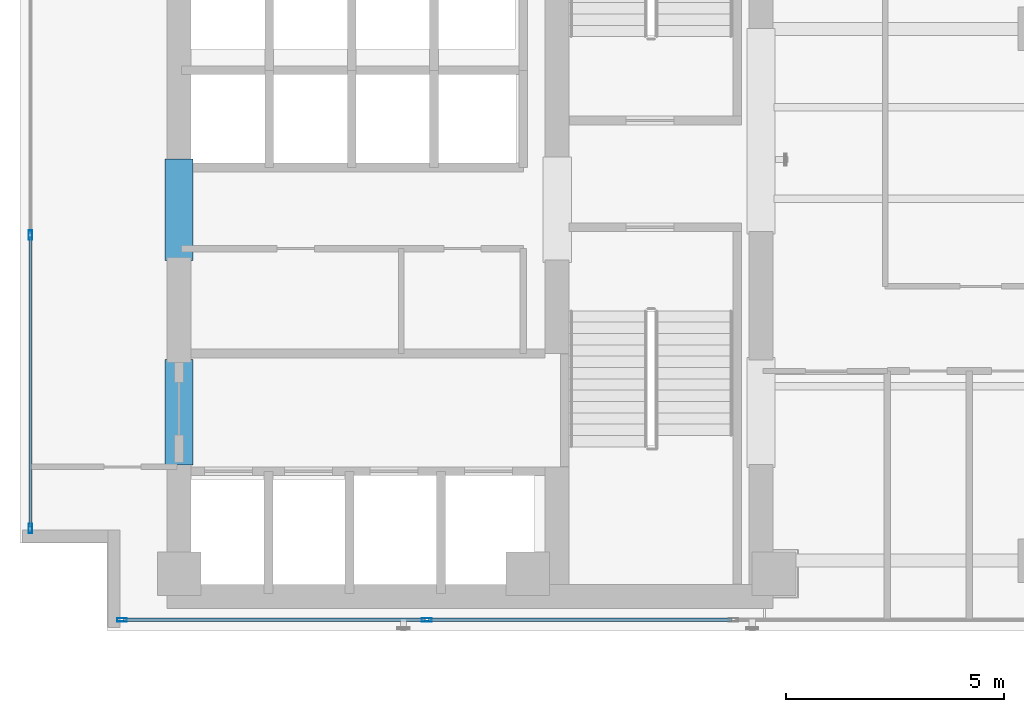
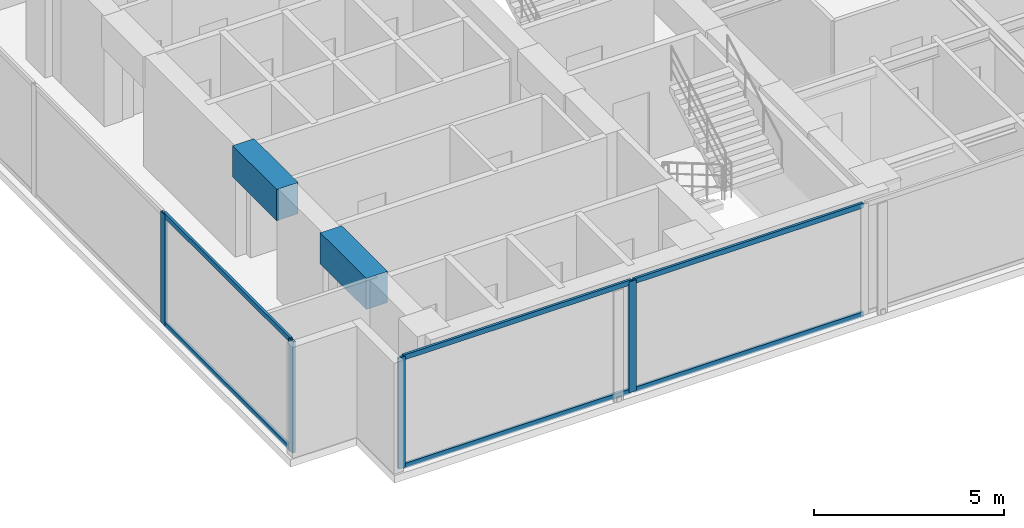
# One storey, part 2 of 23: 10 members, 2 beams, 2 elements without a shape of their own.
"""IFC4 building model written with IfcOpenShell, lengths in metres."""

from ifc_helpers import new_model, si_unit, direction, frame, origin, origin_with_axes, origin_2d, place, context, subcontext, project, spatial, rectangle, hollow_rectangle, extrude, source, transform, mapped, material, layer, layer_set, material_profile, profile_set, type_object, element, aggregate, save


model = new_model("IFC4")

# Units and contexts
model_context = context("Model", 3, precision=1e-05, world=origin(), true_north=direction((0.0, 1.0)))
body_context = subcontext(model_context, "Body", "Model", "MODEL_VIEW")
ifc_project = project(units=[si_unit("LENGTHUNIT", "METRE"), si_unit("AREAUNIT", "SQUARE_METRE"), si_unit("VOLUMEUNIT", "CUBIC_METRE"), si_unit("PLANEANGLEUNIT", "RADIAN"), si_unit("MASSUNIT", "GRAM", prefix="KILO")], contexts=[model_context])

# Site, building, storey
site_placement = place(None, origin())
site = spatial("IfcSite", under=ifc_project, at=site_placement, CompositionType="ELEMENT")
building_placement = place(site_placement, origin())
building = spatial("IfcBuilding", under=site, at=building_placement, Name="Kolvaren Waterfront Exchange", CompositionType="ELEMENT")
storey_placement = place(building_placement, frame((0.0, 0.0, 227.300048828125)))
storey = spatial("IfcBuildingStorey", under=building, at=storey_placement, Name="L58", CompositionType="ELEMENT", Elevation=227.300048828125)

# Beams
ifc_material_1 = material(Name="Concrete C60/75", Category="concrete")
ifc_material_profile_1 = material_profile(ifc_material_1, rectangle(XDim=0.64990234375, YDim=1.0, at=origin_2d()), Name="RC-CB-1000x650")
ifc_profile_set_1 = profile_set([ifc_material_profile_1], Name="Concrete C60/75")
beam_type = type_object("IfcBeamType", Name="STR-CB-1000", PredefinedType="SPANDREL", material=ifc_profile_set_1)
beam_1_placement = place(storey_placement, frame((7.449951171875, 7.389892578125, 3.06005859375), z_axis=(0.0, 1.0, 0.0), x_axis=(-1.0, 0.0, 0.0)))
element("IfcBeam", 1, at=beam_1_placement, inside=storey, type_object=beam_type, Name="L58 core coupling beam 3", PredefinedType="SPANDREL", context=body_context, shape_type="SweptSolid", body=[
    extrude(rectangle(XDim=0.64990234375, YDim=1.0, at=origin_2d()), origin(), (0.0, 0.0, 1.0), 2.420166015625),
])
beam_2_placement = place(storey_placement, frame((7.449951171875, 12.090087890625, 3.06005859375), z_axis=(0.0, 1.0, 0.0), x_axis=(-1.0, 0.0, 0.0)))
element("IfcBeam", 2, at=beam_2_placement, inside=storey, type_object=beam_type, Name="L58 core coupling beam 4", PredefinedType="SPANDREL", context=body_context, shape_type="SweptSolid", body=[
    extrude(rectangle(XDim=0.64990234375, YDim=1.0, at=origin_2d()), origin(), (0.0, 0.0, 1.0), 2.31982421875),
])

# Curtain wall, members
ifc_material_2 = material(Name="Anodised bronze aluminium 6063-T6", Category="aluminium")
ifc_layer_1 = layer(ifc_material_2, 0.219970703125, Name="Anodised bronze aluminium 6063-T6")
ifc_layer_set_1 = layer_set([ifc_layer_1], Name="Anodised bronze aluminium 6063-T6")
curtain_wall_type_1 = type_object("IfcCurtainWallType", Name="ARC-CW-SYS1", PredefinedType="USERDEFINED", material=ifc_layer_set_1)
curtain_wall_1_placement = place(storey_placement, origin())
curtain_wall_1 = element("IfcCurtainWall", 3, at=curtain_wall_1_placement, inside=storey, type_object=curtain_wall_type_1, Name="L58 stick curtain wall CW1 (CW-L58-S)", ObjectType="STICK CURTAIN WALL", PredefinedType="USERDEFINED")
ifc_material_3 = material(Name="Anodised aluminium 6063-T6", Category="aluminium")
ifc_material_profile_2 = material_profile(ifc_material_3, hollow_rectangle(XDim=0.080078125, YDim=0.219970703125, WallThickness=0.0048828125, at=origin_2d()), Name="ALU-MUL-220x80x5")
ifc_profile_set_2 = profile_set([ifc_material_profile_2], Name="Anodised aluminium 6063-T6")
member_type_1 = type_object("IfcMemberType", Name="ARC-CWM-220", PredefinedType="MULLION", material=ifc_profile_set_2)
shared_shape_1 = source(origin_with_axes(), body_context, "Body", "SweptSolid", [
    extrude(hollow_rectangle(XDim=0.080078125, YDim=0.219970703125, WallThickness=0.0048828125, at=origin_2d()), origin(), (0.0, 0.0, 1.0), 3.56005859375),
])
member_1_placement = place(storey_placement, frame((6.139892578125, 3.840087890625, 0.0), z_axis=(0.0, 0.0, 1.0), x_axis=(0.0, 1.0, 0.0)))
member_1 = element("IfcMember", 4, at=member_1_placement, type_object=member_type_1, Name="CW1 mullion 1", PredefinedType="MULLION", context=body_context, shape_type="MappedRepresentation", body=[
    mapped(shared_shape_1, transform((0.0, 0.0, 0.0), x_axis=(1.0, 0.0, 0.0), y_axis=(0.0, 1.0, 0.0), z_axis=(0.0, 0.0, 1.0), scale=1.0)),
])
member_2_placement = place(storey_placement, frame((13.13330078125, 3.840087890625, 0.0), z_axis=(0.0, 0.0, 1.0), x_axis=(0.0, 1.0, 0.0)))
member_2 = element("IfcMember", 5, at=member_2_placement, type_object=member_type_1, Name="CW1 mullion 2", PredefinedType="MULLION", context=body_context, shape_type="MappedRepresentation", body=[
    mapped(shared_shape_1, transform((0.0, 0.0, 0.0), x_axis=(1.0, 0.0, 0.0), y_axis=(0.0, 1.0, 0.0), z_axis=(0.0, 0.0, 1.0), scale=1.0)),
])

ifc_layer_2 = layer(ifc_material_3, 0.219970703125, Name="Anodised aluminium 6063-T6")
ifc_layer_set_2 = layer_set([ifc_layer_2], Name="Anodised aluminium 6063-T6")
curtain_wall_type_2 = type_object("IfcCurtainWallType", Name="ARC-CW-SYS2", PredefinedType="USERDEFINED", material=ifc_layer_set_2)
curtain_wall_2_placement = place(storey_placement, origin())
curtain_wall_2 = element("IfcCurtainWall", 6, at=curtain_wall_2_placement, inside=storey, type_object=curtain_wall_type_2, Name="L58 stick curtain wall CW2 (CW-L58-W)", ObjectType="STICK CURTAIN WALL", PredefinedType="USERDEFINED")
member_3_placement = place(storey_placement, frame((4.0400390625, 5.93994140625, 0.0), z_axis=(0.0, 0.0, 1.0), x_axis=(-1.0, 0.0, 0.0)))
member_3 = element("IfcMember", 7, at=member_3_placement, type_object=member_type_1, Name="CW2 mullion 1", PredefinedType="MULLION", context=body_context, shape_type="MappedRepresentation", body=[
    mapped(shared_shape_1, transform((0.0, 0.0, 0.0), x_axis=(1.0, 0.0, 0.0), y_axis=(0.0, 1.0, 0.0), z_axis=(0.0, 0.0, 1.0), scale=1.0)),
])
member_4_placement = place(storey_placement, frame((4.0400390625, 12.666748046875, 0.0), z_axis=(0.0, 0.0, 1.0), x_axis=(-1.0, 0.0, 0.0)))
member_4 = element("IfcMember", 8, at=member_4_placement, type_object=member_type_1, Name="CW2 mullion 2", PredefinedType="MULLION", context=body_context, shape_type="MappedRepresentation", body=[
    mapped(shared_shape_1, transform((0.0, 0.0, 0.0), x_axis=(1.0, 0.0, 0.0), y_axis=(0.0, 1.0, 0.0), z_axis=(0.0, 0.0, 1.0), scale=1.0)),
])
ifc_material_profile_3 = material_profile(ifc_material_3, hollow_rectangle(XDim=0.074951171875, YDim=0.159912109375, WallThickness=0.00439453125, at=origin_2d()), Name="ALU-TRN-160x75x4.5")
ifc_profile_set_3 = profile_set([ifc_material_profile_3], Name="Anodised aluminium 6063-T6")
member_type_2 = type_object("IfcMemberType", Name="ARC-CWT-160", PredefinedType="USERDEFINED", material=ifc_profile_set_3)
shared_shape_2 = source(origin_with_axes(), body_context, "Body", "SweptSolid", [
    extrude(hollow_rectangle(XDim=0.074951171875, YDim=0.159912109375, WallThickness=0.00439453125, at=origin_2d()), origin(), (0.0, 0.0, 1.0), 6.646728515625),
])
member_5_placement = place(storey_placement, frame((4.0400390625, 5.97998046875, 0.037353515625), z_axis=(0.0, 1.0, 0.0), x_axis=(-1.0, 0.0, 0.0)))
member_5 = element("IfcMember", 9, at=member_5_placement, type_object=member_type_2, Name="CW2 transom 1.1", ObjectType="TRANSOM", PredefinedType="USERDEFINED", context=body_context, shape_type="MappedRepresentation", body=[
    mapped(shared_shape_2, transform((0.0, 0.0, 0.0), x_axis=(1.0, 0.0, 0.0), y_axis=(0.0, 1.0, 0.0), z_axis=(0.0, 0.0, 1.0), scale=1.0)),
])
member_6_placement = place(storey_placement, frame((4.0400390625, 5.97998046875, 3.5224609375), z_axis=(0.0, 1.0, 0.0), x_axis=(-1.0, 0.0, 0.0)))
member_6 = element("IfcMember", 10, at=member_6_placement, type_object=member_type_2, Name="CW2 transom 1.2", ObjectType="TRANSOM", PredefinedType="USERDEFINED", context=body_context, shape_type="MappedRepresentation", body=[
    mapped(shared_shape_2, transform((0.0, 0.0, 0.0), x_axis=(1.0, 0.0, 0.0), y_axis=(0.0, 1.0, 0.0), z_axis=(0.0, 0.0, 1.0), scale=1.0)),
])
aggregate(curtain_wall_2, [member_3, member_4, member_5, member_6])

# Member
shared_shape_3 = source(origin_with_axes(), body_context, "Body", "SweptSolid", [
    extrude(hollow_rectangle(XDim=0.074951171875, YDim=0.159912109375, WallThickness=0.00439453125, at=origin_2d()), origin(), (0.0, 0.0, 1.0), 6.913330078125),
])
member_7_placement = place(storey_placement, frame((6.179931640625, 3.840087890625, 0.037353515625), z_axis=(1.0, 0.0, 0.0), x_axis=(0.0, 1.0, 0.0)))
member_7 = element("IfcMember", 11, at=member_7_placement, type_object=member_type_2, Name="CW1 transom 1.1", ObjectType="TRANSOM", PredefinedType="USERDEFINED", context=body_context, shape_type="MappedRepresentation", body=[
    mapped(shared_shape_3, transform((0.0, 0.0, 0.0), x_axis=(1.0, 0.0, 0.0), y_axis=(0.0, 1.0, 0.0), z_axis=(0.0, 0.0, 1.0), scale=1.0)),
])

member_8_placement = place(storey_placement, frame((6.179931640625, 3.840087890625, 3.5224609375), z_axis=(1.0, 0.0, 0.0), x_axis=(0.0, 1.0, 0.0)))
member_8 = element("IfcMember", 12, at=member_8_placement, type_object=member_type_2, Name="CW1 transom 1.2", ObjectType="TRANSOM", PredefinedType="USERDEFINED", context=body_context, shape_type="MappedRepresentation", body=[
    mapped(shared_shape_3, transform((0.0, 0.0, 0.0), x_axis=(1.0, 0.0, 0.0), y_axis=(0.0, 1.0, 0.0), z_axis=(0.0, 0.0, 1.0), scale=1.0)),
])

shared_shape_4 = source(origin_with_axes(), body_context, "Body", "SweptSolid", [
    extrude(hollow_rectangle(XDim=0.074951171875, YDim=0.159912109375, WallThickness=0.00439453125, at=origin_2d()), origin(), (0.0, 0.0, 1.0), 6.953369140625),
])
member_9_placement = place(storey_placement, frame((13.17333984375, 3.840087890625, 0.037353515625), z_axis=(1.0, 0.0, 0.0), x_axis=(0.0, 1.0, 0.0)))
member_9 = element("IfcMember", 13, at=member_9_placement, type_object=member_type_2, Name="CW1 transom 2.1", ObjectType="TRANSOM", PredefinedType="USERDEFINED", context=body_context, shape_type="MappedRepresentation", body=[
    mapped(shared_shape_4, transform((0.0, 0.0, 0.0), x_axis=(1.0, 0.0, 0.0), y_axis=(0.0, 1.0, 0.0), z_axis=(0.0, 0.0, 1.0), scale=1.0)),
])

member_10_placement = place(storey_placement, frame((13.17333984375, 3.840087890625, 3.5224609375), z_axis=(1.0, 0.0, 0.0), x_axis=(0.0, 1.0, 0.0)))
member_10 = element("IfcMember", 14, at=member_10_placement, type_object=member_type_2, Name="CW1 transom 2.2", ObjectType="TRANSOM", PredefinedType="USERDEFINED", context=body_context, shape_type="MappedRepresentation", body=[
    mapped(shared_shape_4, transform((0.0, 0.0, 0.0), x_axis=(1.0, 0.0, 0.0), y_axis=(0.0, 1.0, 0.0), z_axis=(0.0, 0.0, 1.0), scale=1.0)),
])

aggregate(curtain_wall_1, [member_1, member_2, member_7, member_8, member_9, member_10])

save(model, "model.ifc")
